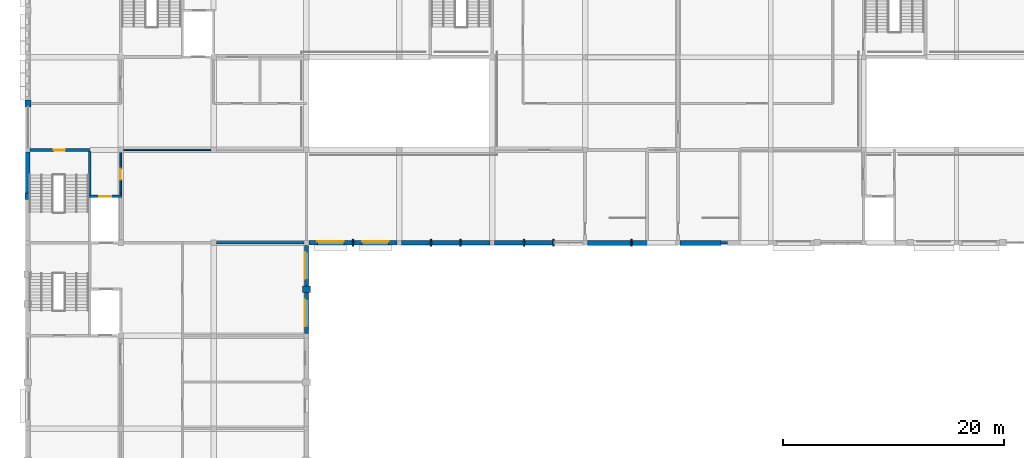
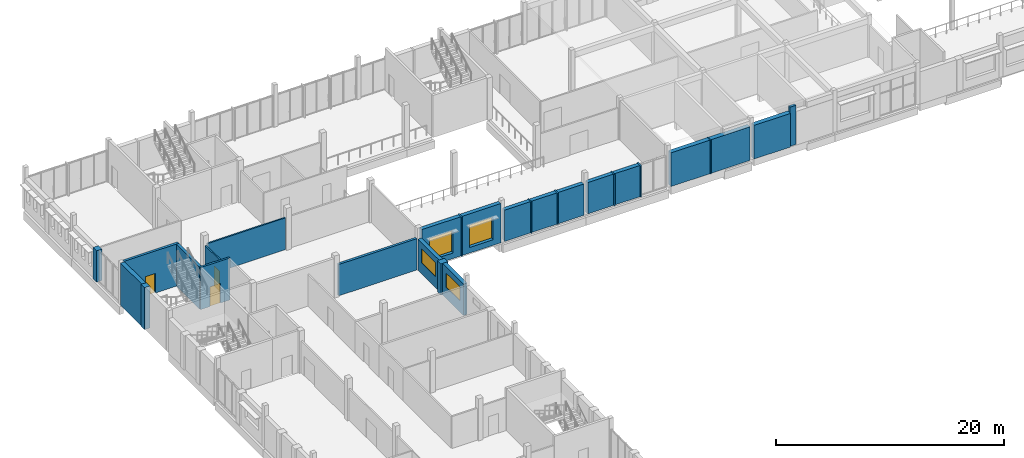
# One storey, part 26 of 38: 29 walls, 4 windows, 3 doors, 7 openings.
"""IFC4 building model written with IfcOpenShell, lengths in metres."""

from ifc_helpers import new_model, si_unit, direction, frame, frame_2d, origin, place, context, subcontext, project, spatial, rectangle, extrude, material, layer, layer_set, type_object, element, fill, save


model = new_model("IFC4")

# Units and contexts
model_context = context("Model", 3, precision=1e-05, world=origin(), true_north=direction((0.0, 1.0)))
body_context = subcontext(model_context, "Body", "Model", "MODEL_VIEW")
ifc_project = project(units=[si_unit("LENGTHUNIT", "METRE"), si_unit("AREAUNIT", "SQUARE_METRE"), si_unit("VOLUMEUNIT", "CUBIC_METRE"), si_unit("PLANEANGLEUNIT", "RADIAN"), si_unit("MASSUNIT", "GRAM", prefix="KILO")], contexts=[model_context])

# Site, building, storey
site_placement = place(None, origin())
site = spatial("IfcSite", under=ifc_project, at=site_placement, CompositionType="ELEMENT")
building_placement = place(site_placement, origin())
building = spatial("IfcBuilding", under=site, at=building_placement, Name="Fescue Hill Polytechnic", CompositionType="ELEMENT")
storey_placement = place(building_placement, frame((0.0, 0.0, 18.0)))
storey = spatial("IfcBuildingStorey", under=building, at=storey_placement, Name="L04", CompositionType="ELEMENT", Elevation=18.0)

# Walls
ifc_material_1 = material(Name="Clay brick masonry", Category="masonry")
ifc_layer_1 = layer(ifc_material_1, 0.550048828125)
ifc_layer_set_1 = layer_set([ifc_layer_1], Name="Clay brick masonry")
wall_type_1 = type_object("IfcWallType", Name="Brick pier 600x550", PredefinedType="SOLIDWALL", material=ifc_layer_set_1)
wall_1_placement = place(storey_placement, frame((0.0, 122.10009765625, 0.0), z_axis=(0.0, 0.0, 1.0), x_axis=(0.0, -1.0, 0.0)))
element("IfcWall", 1, at=wall_1_placement, inside=storey, type_object=wall_type_1, Name="PR-L04-V5-19", PredefinedType="SOLIDWALL", context=body_context, shape_type="SweptSolid", body=[
    extrude(rectangle(XDim=0.60009765625, YDim=0.550048828125, at=frame_2d((0.300048828125, 0.0))), origin(), (0.0, 0.0, 1.0), 3.35009765625),
])
wall_2_placement = place(storey_placement, frame((0.0, 113.699951171875, 0.0), z_axis=(0.0, 0.0, 1.0), x_axis=(0.0, -1.0, 0.0)))
element("IfcWall", 2, at=wall_2_placement, inside=storey, type_object=wall_type_1, Name="PR-L04-V5-20", PredefinedType="SOLIDWALL", context=body_context, shape_type="SweptSolid", body=[
    extrude(rectangle(XDim=0.599853515625, YDim=0.550048828125, at=frame_2d((0.2998046875, 0.0))), origin(), (0.0, 0.0, 1.0), 4.5),
])

# Wall, opening, door
ifc_material_2 = material(Name="Concrete 40 MPa", Category="concrete")
ifc_layer_2 = layer(ifc_material_2, 0.25)
ifc_layer_set_2 = layer_set([ifc_layer_2], Name="Concrete 40 MPa")
wall_type_2 = type_object("IfcWallType", Name="Core wall 250", PredefinedType="SHEAR", material=ifc_layer_set_2)
wall_3_placement = place(storey_placement, frame((0.199951171875, 117.60009765625, 0.0), z_axis=(0.0, 0.0, 1.0), x_axis=(1.0, 0.0, 0.0)))
wall_3 = element("IfcWall", 3, at=wall_3_placement, inside=storey, type_object=wall_type_2, Name="CW-L04-ST-V5-1-21", PredefinedType="SHEAR", context=body_context, shape_type="SweptSolid", body=[
    extrude(rectangle(XDim=5.525146484375, YDim=0.25, at=frame_2d((2.7626953125, 0.0))), origin(), (0.0, 0.0, 1.0), 4.5),
])
opening_1_placement = place(wall_3_placement, frame((2.14990234375, 0.0, 0.0)))
opening_1 = element("IfcOpeningElement", 4, at=opening_1_placement, cuts=wall_3, Name="Opening D4039", PredefinedType="OPENING", context=body_context, shape_type="SweptSolid", body=[
    extrude(rectangle(XDim=1.0, YDim=2.10009765625, at=frame_2d((0.5, 1.050048828125))), frame((0.0, 0.135009765625, 0.0), z_axis=(0.0, -1.0, 0.0), x_axis=(1.0, 0.0, 0.0)), (0.0, 0.0, 1.0), 0.27001953125),
])
ifc_material_3 = material(Name="Steel fire door", Category="steel")
door_type_1 = type_object("IfcDoorType", Name="Door single swing 1000x2100 stair fire rated", OperationType="NOTDEFINED", PredefinedType="DOOR", material=ifc_material_3)
door_1_placement = place(opening_1_placement, origin())
door_1 = element("IfcDoor", 5, at=door_1_placement, inside=storey, type_object=door_type_1, Name="L04 ST-V5-1 stair door", OperationType="SINGLE_SWING_RIGHT", OverallHeight=2.10009765625, OverallWidth=1.0, PredefinedType="DOOR", context=body_context, shape_type="SweptSolid", body=[
    extrude(rectangle(XDim=1.0, YDim=2.10009765625, at=frame_2d((0.5, 1.050048828125))), frame((0.0, 0.02490234375, 0.0), z_axis=(0.0, -1.0, 0.0), x_axis=(1.0, 0.0, 0.0)), (0.0, 0.0, 1.0), 0.050048828125),
])
fill(opening_1, door_1)

# Walls
wall_4_placement = place(storey_placement, frame((5.60009765625, 113.409912109375, 0.0), z_axis=(0.0, 0.0, 1.0), x_axis=(0.0, 1.0, 0.0)))
element("IfcWall", 6, at=wall_4_placement, inside=storey, type_object=wall_type_2, Name="CW-L04-ST-V5-1-41", PredefinedType="SHEAR", context=body_context, shape_type="SweptSolid", body=[
    extrude(rectangle(XDim=4.065185546875, YDim=0.25, at=frame_2d((2.03271484375, 0.0))), origin(), (0.0, 0.0, 1.0), 4.5),
])
wall_5_placement = place(storey_placement, frame((62.699951171875, 109.199951171875, 0.0), z_axis=(0.0, 0.0, 1.0), x_axis=(1.0, 0.0, 0.0)))
element("IfcWall", 7, at=wall_5_placement, inside=storey, type_object=wall_type_2, Name="SCW-L04-ST-V4b-1-s1", PredefinedType="SHEAR", context=body_context, shape_type="SweptSolid", body=[
    extrude(rectangle(XDim=0.60009765625, YDim=0.25, at=frame_2d((0.300048828125, 0.0))), origin(), (0.0, 0.0, 1.0), 4.199951171875),
])
ifc_material_4 = material(Name="Gypsum board partition")
ifc_layer_3 = layer(ifc_material_4, 0.14990234375)
ifc_layer_set_3 = layer_set([ifc_layer_3], Name="Gypsum board partition")
wall_type_3 = type_object("IfcWallType", Name="Corridor wall 150 EI 45", PredefinedType="PARTITIONING", material=ifc_layer_set_3)
wall_6_placement = place(storey_placement, frame((8.64990234375, 117.60009765625, 0.0), z_axis=(0.0, 0.0, 1.0), x_axis=(1.0, 0.0, 0.0)))
element("IfcWall", 8, at=wall_6_placement, inside=storey, type_object=wall_type_3, Name="IW-L04-022", PredefinedType="PARTITIONING", context=body_context, shape_type="SweptSolid", body=[
    extrude(rectangle(XDim=7.900146484375, YDim=0.14990234375, at=frame_2d((3.9501953125, 0.0))), origin(), (0.0, 0.0, 1.0), 3.39990234375),
])
ifc_layer_4 = layer(ifc_material_2, 0.449951171875)
ifc_layer_set_4 = layer_set([ifc_layer_4], Name="Concrete 40 MPa")
wall_type_4 = type_object("IfcWallType", Name="Exterior wall board-marked concrete 450 load-bearing", PredefinedType="SOLIDWALL", material=ifc_layer_set_4)
wall_7_placement = place(storey_placement, frame((50.60009765625, 109.199951171875, 0.0), z_axis=(0.0, 0.0, 1.0), x_axis=(1.0, 0.0, 0.0)))
element("IfcWall", 9, at=wall_7_placement, inside=storey, type_object=wall_type_4, Name="EW-L04-V5-9", PredefinedType="SOLIDWALL", context=body_context, shape_type="SweptSolid", body=[
    extrude(rectangle(XDim=3.93994140625, YDim=0.449951171875, at=frame_2d((1.969970703125, 0.0))), origin(), (0.0, 0.0, 1.0), 3.60009765625),
])
wall_8_placement = place(storey_placement, frame((54.659912109375, 109.199951171875, 0.0), z_axis=(0.0, 0.0, 1.0), x_axis=(1.0, 0.0, 0.0)))
element("IfcWall", 10, at=wall_8_placement, inside=storey, type_object=wall_type_4, Name="EW-L04-V5-10", PredefinedType="SOLIDWALL", context=body_context, shape_type="SweptSolid", body=[
    extrude(rectangle(XDim=3.940185546875, YDim=0.449951171875, at=frame_2d((1.97021484375, 0.0))), origin(), (0.0, 0.0, 1.0), 3.60009765625),
])
wall_9_placement = place(storey_placement, frame((59.0, 109.199951171875, 0.0), z_axis=(0.0, 0.0, 1.0), x_axis=(1.0, 0.0, 0.0)))
element("IfcWall", 11, at=wall_9_placement, inside=storey, type_object=wall_type_4, Name="EW-L04-V4b-1", PredefinedType="SOLIDWALL", context=body_context, shape_type="SweptSolid", body=[
    extrude(rectangle(XDim=3.699951171875, YDim=0.449951171875, at=frame_2d((1.85009765625, 0.0))), origin(), (0.0, 0.0, 1.0), 3.60009765625),
])
ifc_layer_5 = layer(ifc_material_1, 0.419921875)
ifc_layer_set_5 = layer_set([ifc_layer_5], Name="Clay brick masonry")
wall_type_5 = type_object("IfcWallType", Name="Exterior wall buff-red brick cavity 420 load-bearing", PredefinedType="SOLIDWALL", material=ifc_layer_set_5)
wall_10_placement = place(storey_placement, frame((0.0, 117.39990234375, 0.0), z_axis=(0.0, 0.0, 1.0), x_axis=(0.0, -1.0, 0.0)))
element("IfcWall", 12, at=wall_10_placement, inside=storey, type_object=wall_type_5, Name="EW-L04-V5-23", PredefinedType="SOLIDWALL", context=body_context, shape_type="SweptSolid", body=[
    extrude(rectangle(XDim=3.699951171875, YDim=0.419921875, at=frame_2d((1.85009765625, 0.0))), origin(), (0.0, 0.0, 1.0), 4.5),
])

# Wall, opening, window
ifc_layer_6 = layer(ifc_material_1, 0.39990234375)
ifc_layer_set_6 = layer_set([ifc_layer_6], Name="Clay brick masonry")
wall_type_6 = type_object("IfcWallType", Name="Exterior wall clinker brick cavity 400", PredefinedType="SOLIDWALL", material=ifc_layer_set_6)
wall_11_placement = place(storey_placement, frame((25.425048828125, 109.199951171875, 0.0), z_axis=(0.0, 0.0, 1.0), x_axis=(1.0, 0.0, 0.0)))
wall_11 = element("IfcWall", 13, at=wall_11_placement, inside=storey, type_object=wall_type_6, Name="EW-L04-V5-1", PredefinedType="SOLIDWALL", context=body_context, shape_type="SweptSolid", body=[
    extrude(rectangle(XDim=3.927490234375, YDim=0.39990234375, at=frame_2d((1.9638671875, 0.0))), origin(), (0.0, 0.0, 1.0), 4.199951171875),
])
opening_2_placement = place(wall_11_placement, frame((0.763916015625, 0.0, 0.60009765625)))
opening_2 = element("IfcOpeningElement", 14, at=opening_2_placement, cuts=wall_11, Name="Opening W4", PredefinedType="OPENING", context=body_context, shape_type="SweptSolid", body=[
    extrude(rectangle(XDim=2.39990234375, YDim=2.39990234375, at=frame_2d((1.199951171875, 1.199951171875))), frame((0.0, 0.2099609375, 0.0), z_axis=(0.0, -1.0, 0.0), x_axis=(1.0, 0.0, 0.0)), (0.0, 0.0, 1.0), 0.419921875),
])
ifc_material_5 = material(Name="Powder-coated aluminium and glass", Category="aluminium")
window_type_1 = type_object("IfcWindowType", Name="Window library tall 2400x2400", PartitioningType="DOUBLE_PANEL_VERTICAL", PredefinedType="WINDOW", material=ifc_material_5)
window_1_placement = place(opening_2_placement, origin())
window_1 = element("IfcWindow", 15, at=window_1_placement, inside=storey, type_object=window_type_1, Name="WN-L04-V5-1", OverallHeight=2.39990234375, OverallWidth=2.39990234375, PartitioningType="SINGLE_PANEL", PredefinedType="WINDOW", context=body_context, shape_type="SweptSolid", body=[
    extrude(rectangle(XDim=2.39990234375, YDim=2.39990234375, at=frame_2d((1.199951171875, 1.199951171875))), frame((0.0, 0.159912109375, 0.0), z_axis=(0.0, -1.0, 0.0), x_axis=(1.0, 0.0, 0.0)), (0.0, 0.0, 1.0), 0.06005859375),
])
fill(opening_2, window_1)

wall_12_placement = place(storey_placement, frame((29.472412109375, 109.199951171875, 0.0), z_axis=(0.0, 0.0, 1.0), x_axis=(1.0, 0.0, 0.0)))
wall_12 = element("IfcWall", 16, at=wall_12_placement, inside=storey, type_object=wall_type_6, Name="EW-L04-V5-2", PredefinedType="SOLIDWALL", context=body_context, shape_type="SweptSolid", body=[
    extrude(rectangle(XDim=3.927490234375, YDim=0.39990234375, at=frame_2d((1.9638671875, 0.0))), origin(), (0.0, 0.0, 1.0), 4.199951171875),
])
opening_3_placement = place(wall_12_placement, frame((0.763916015625, 0.0, 0.60009765625)))
opening_3 = element("IfcOpeningElement", 17, at=opening_3_placement, cuts=wall_12, Name="Opening W4", PredefinedType="OPENING", context=body_context, shape_type="SweptSolid", body=[
    extrude(rectangle(XDim=2.39990234375, YDim=2.39990234375, at=frame_2d((1.199951171875, 1.199951171875))), frame((0.0, 0.2099609375, 0.0), z_axis=(0.0, -1.0, 0.0), x_axis=(1.0, 0.0, 0.0)), (0.0, 0.0, 1.0), 0.419921875),
])
window_2_placement = place(opening_3_placement, origin())
window_2 = element("IfcWindow", 18, at=window_2_placement, inside=storey, type_object=window_type_1, Name="WN-L04-V5-2", OverallHeight=2.39990234375, OverallWidth=2.39990234375, PartitioningType="SINGLE_PANEL", PredefinedType="WINDOW", context=body_context, shape_type="SweptSolid", body=[
    extrude(rectangle(XDim=2.39990234375, YDim=2.39990234375, at=frame_2d((1.199951171875, 1.199951171875))), frame((0.0, 0.159912109375, 0.0), z_axis=(0.0, -1.0, 0.0), x_axis=(1.0, 0.0, 0.0)), (0.0, 0.0, 1.0), 0.06005859375),
])
fill(opening_3, window_2)

# Walls
wall_13_placement = place(storey_placement, frame((33.800048828125, 109.199951171875, 0.0), z_axis=(0.0, 0.0, 1.0), x_axis=(1.0, 0.0, 0.0)))
element("IfcWall", 19, at=wall_13_placement, inside=storey, type_object=wall_type_6, Name="EW-L04-V5-3", PredefinedType="SOLIDWALL", context=body_context, shape_type="SweptSolid", body=[
    extrude(rectangle(XDim=2.606689453125, YDim=0.39990234375, at=frame_2d((1.30322265625, 0.0))), origin(), (0.0, 0.0, 1.0), 3.35009765625),
])
wall_14_placement = place(storey_placement, frame((36.526611328125, 109.199951171875, 0.0), z_axis=(0.0, 0.0, 1.0), x_axis=(1.0, 0.0, 0.0)))
element("IfcWall", 20, at=wall_14_placement, inside=storey, type_object=wall_type_6, Name="EW-L04-V5-4", PredefinedType="SOLIDWALL", context=body_context, shape_type="SweptSolid", body=[
    extrude(rectangle(XDim=2.546630859375, YDim=0.39990234375, at=frame_2d((1.2734375, 0.0))), origin(), (0.0, 0.0, 1.0), 3.35009765625),
])
for number, where, z_axis, x_axis, name in (
    (21, (39.193359375, 109.199951171875, 0.0), (0.0, 0.0, 1.0), (1.0, 0.0, 0.0), "EW-L04-V5-5"),
    (22, (42.199951171875, 109.199951171875, 0.0), (0.0, 0.0, 1.0), (1.0, 0.0, 0.0), "EW-L04-V5-6"),
):
    element("IfcWall", number, at=place(storey_placement, frame(where, z_axis=z_axis, x_axis=x_axis)), inside=storey, type_object=wall_type_6, Name=name, PredefinedType="SOLIDWALL", context=body_context, shape_type="SweptSolid", body=[
        extrude(rectangle(XDim=2.606689453125, YDim=0.39990234375, at=frame_2d((1.30322265625, 0.0))), origin(), (0.0, 0.0, 1.0), 3.35009765625),
    ])
wall_15_placement = place(storey_placement, frame((44.9267578125, 109.199951171875, 0.0), z_axis=(0.0, 0.0, 1.0), x_axis=(1.0, 0.0, 0.0)))
element("IfcWall", 23, at=wall_15_placement, inside=storey, type_object=wall_type_6, Name="EW-L04-V5-7", PredefinedType="SOLIDWALL", context=body_context, shape_type="SweptSolid", body=[
    extrude(rectangle(XDim=2.546630859375, YDim=0.39990234375, at=frame_2d((1.2734375, 0.0))), origin(), (0.0, 0.0, 1.0), 3.35009765625),
])

# Wall, opening, window
ifc_material_6 = material(Name="Terracotta rainscreen on concrete block", Category="masonry")
ifc_layer_7 = layer(ifc_material_6, 0.3798828125)
ifc_layer_set_7 = layer_set([ifc_layer_7], Name="Terracotta rainscreen on concrete block")
wall_type_7 = type_object("IfcWallType", Name="Exterior wall rainscreen terracotta on blockwork 380", PredefinedType="SOLIDWALL", material=ifc_layer_set_7)
wall_16_placement = place(storey_placement, frame((25.199951171875, 101.0, 0.0), z_axis=(0.0, 0.0, 1.0), x_axis=(0.0, 1.0, 0.0)))
wall_16 = element("IfcWall", 24, at=wall_16_placement, inside=storey, type_object=wall_type_7, Name="EW-L04-V4-16", PredefinedType="SOLIDWALL", context=body_context, shape_type="SweptSolid", body=[
    extrude(rectangle(XDim=3.6875, YDim=0.3798828125, at=frame_2d((1.84375, 0.0))), origin(), (0.0, 0.0, 1.0), 3.35009765625),
])
opening_4_placement = place(wall_16_placement, frame((0.643798828125, 0.0, 1.199951171875)))
opening_4 = element("IfcOpeningElement", 25, at=opening_4_placement, cuts=wall_16, Name="Opening W3", PredefinedType="OPENING", context=body_context, shape_type="SweptSolid", body=[
    extrude(rectangle(XDim=2.39990234375, YDim=1.5, at=frame_2d((1.199951171875, 0.75))), frame((0.0, 0.199951171875, 0.0), z_axis=(0.0, -1.0, 0.0), x_axis=(1.0, 0.0, 0.0)), (0.0, 0.0, 1.0), 0.39990234375),
])
window_type_2 = type_object("IfcWindowType", Name="Window laboratory strip 2400x1500", PartitioningType="TRIPLE_PANEL_VERTICAL", PredefinedType="WINDOW", material=ifc_material_5)
window_3_placement = place(opening_4_placement, origin())
window_3 = element("IfcWindow", 26, at=window_3_placement, inside=storey, type_object=window_type_2, Name="WN-L04-V4-6", OverallHeight=1.5, OverallWidth=2.39990234375, PartitioningType="SINGLE_PANEL", PredefinedType="WINDOW", context=body_context, shape_type="SweptSolid", body=[
    extrude(rectangle(XDim=2.39990234375, YDim=1.5, at=frame_2d((1.199951171875, 0.75))), frame((0.0, 0.150146484375, 0.0), z_axis=(0.0, -1.0, 0.0), x_axis=(1.0, 0.0, 0.0)), (0.0, 0.0, 1.0), 0.06005859375),
])
fill(opening_4, window_3)

wall_17_placement = place(storey_placement, frame((25.199951171875, 105.28759765625, 0.0), z_axis=(0.0, 0.0, 1.0), x_axis=(0.0, 1.0, 0.0)))
wall_17 = element("IfcWall", 27, at=wall_17_placement, inside=storey, type_object=wall_type_7, Name="EW-L04-V4-17", PredefinedType="SOLIDWALL", context=body_context, shape_type="SweptSolid", body=[
    extrude(rectangle(XDim=3.6875, YDim=0.3798828125, at=frame_2d((1.84375, 0.0))), origin(), (0.0, 0.0, 1.0), 3.35009765625),
])
opening_5_placement = place(wall_17_placement, frame((0.643798828125, 0.0, 1.199951171875)))
opening_5 = element("IfcOpeningElement", 28, at=opening_5_placement, cuts=wall_17, Name="Opening W3", PredefinedType="OPENING", context=body_context, shape_type="SweptSolid", body=[
    extrude(rectangle(XDim=2.39990234375, YDim=1.5, at=frame_2d((1.199951171875, 0.75))), frame((0.0, 0.199951171875, 0.0), z_axis=(0.0, -1.0, 0.0), x_axis=(1.0, 0.0, 0.0)), (0.0, 0.0, 1.0), 0.39990234375),
])
window_4_placement = place(opening_5_placement, origin())
window_4 = element("IfcWindow", 29, at=window_4_placement, inside=storey, type_object=window_type_2, Name="WN-L04-V4-7", OverallHeight=1.5, OverallWidth=2.39990234375, PartitioningType="SINGLE_PANEL", PredefinedType="WINDOW", context=body_context, shape_type="SweptSolid", body=[
    extrude(rectangle(XDim=2.39990234375, YDim=1.5, at=frame_2d((1.199951171875, 0.75))), frame((0.0, 0.150146484375, 0.0), z_axis=(0.0, -1.0, 0.0), x_axis=(1.0, 0.0, 0.0)), (0.0, 0.0, 1.0), 0.06005859375),
])
fill(opening_5, window_4)

# Wall
ifc_layer_8 = layer(ifc_material_2, 0.699951171875)
ifc_layer_set_8 = layer_set([ifc_layer_8], Name="Concrete 40 MPa")
wall_type_8 = type_object("IfcWallType", Name="Fin wall board-marked 600x700", PredefinedType="SOLIDWALL", material=ifc_layer_set_8)
wall_18_placement = place(storey_placement, frame((25.199951171875, 104.6875, 0.0), z_axis=(0.0, 0.0, 1.0), x_axis=(0.0, 1.0, 0.0)))
element("IfcWall", 30, at=wall_18_placement, inside=storey, type_object=wall_type_8, Name="PR-L04-V4-10", PredefinedType="SOLIDWALL", context=body_context, shape_type="SweptSolid", body=[
    extrude(rectangle(XDim=0.60009765625, YDim=0.699951171875, at=frame_2d((0.300048828125, 0.0))), origin(), (0.0, 0.0, 1.0), 3.35009765625),
])

# Wall, opening, door
ifc_layer_9 = layer(ifc_material_2, 0.199951171875)
ifc_layer_set_9 = layer_set([ifc_layer_9], Name="Concrete 40 MPa")
wall_type_9 = type_object("IfcWallType", Name="Lift shaft wall 200", PredefinedType="SHEAR", material=ifc_layer_set_9)
wall_19_placement = place(storey_placement, frame((5.5, 113.39990234375, 0.0), z_axis=(0.0, 0.0, 1.0), x_axis=(1.0, 0.0, 0.0)))
wall_19 = element("IfcWall", 31, at=wall_19_placement, inside=storey, type_object=wall_type_9, Name="CW-L04-LF-V5-1-21", PredefinedType="SHEAR", context=body_context, shape_type="SweptSolid", body=[
    extrude(rectangle(XDim=3.0, YDim=0.199951171875, at=frame_2d((1.5, 0.0))), origin(), (0.0, 0.0, 1.0), 4.5),
])
opening_6_placement = place(wall_19_placement, frame((0.949951171875, 0.0, 0.0)))
opening_6 = element("IfcOpeningElement", 32, at=opening_6_placement, cuts=wall_19, Name="Opening LD6-L04N", PredefinedType="OPENING", context=body_context, shape_type="SweptSolid", body=[
    extrude(rectangle(XDim=1.10009765625, YDim=2.10009765625, at=frame_2d((0.550048828125, 1.050048828125))), frame((0.0, 0.10986328125, 0.0), z_axis=(0.0, -1.0, 0.0), x_axis=(1.0, 0.0, 0.0)), (0.0, 0.0, 1.0), 0.219970703125),
])
ifc_material_7 = material(Name="Stainless steel", Category="steel")
door_type_2 = type_object("IfcDoorType", Name="Lift landing door sliding 1100x2100", OperationType="SLIDING_TO_LEFT", PredefinedType="DOOR", material=ifc_material_7)
door_2_placement = place(opening_6_placement, origin())
door_2 = element("IfcDoor", 33, at=door_2_placement, inside=storey, type_object=door_type_2, Name="L04 LF-V5-1 lift landing door", OperationType="SLIDING_TO_LEFT", OverallHeight=2.10009765625, OverallWidth=1.10009765625, PredefinedType="DOOR", context=body_context, shape_type="SweptSolid", body=[
    extrude(rectangle(XDim=1.10009765625, YDim=2.10009765625, at=frame_2d((0.550048828125, 1.050048828125))), frame((0.0, 0.02490234375, 0.0), z_axis=(0.0, -1.0, 0.0), x_axis=(1.0, 0.0, 0.0)), (0.0, 0.0, 1.0), 0.050048828125),
])
fill(opening_6, door_2)

ifc_layer_10 = layer(ifc_material_4, 0.14990234375)
ifc_layer_set_10 = layer_set([ifc_layer_10], Name="Gypsum board partition")
wall_type_10 = type_object("IfcWallType", Name="Lobby wall 150 EI 60", PredefinedType="PARTITIONING", material=ifc_layer_set_10)
wall_20_placement = place(storey_placement, frame((8.39990234375, 113.550048828125, 0.0), z_axis=(0.0, 0.0, 1.0), x_axis=(0.0, 1.0, 0.0)))
wall_20 = element("IfcWall", 34, at=wall_20_placement, inside=storey, type_object=wall_type_10, Name="IW-L04-041", PredefinedType="PARTITIONING", context=body_context, shape_type="SweptSolid", body=[
    extrude(rectangle(XDim=3.800048828125, YDim=0.14990234375, at=frame_2d((1.89990234375, 0.0))), origin(), (0.0, 0.0, 1.0), 3.39990234375),
])
opening_7_placement = place(wall_20_placement, frame((1.35009765625, 0.0, 0.0)))
opening_7 = element("IfcOpeningElement", 35, at=opening_7_placement, cuts=wall_20, Name="Opening D4017", PredefinedType="OPENING", context=body_context, shape_type="SweptSolid", body=[
    extrude(rectangle(XDim=1.0, YDim=2.10009765625, at=frame_2d((0.5, 1.050048828125))), frame((0.0, 0.0849609375, 0.0), z_axis=(0.0, -1.0, 0.0), x_axis=(1.0, 0.0, 0.0)), (0.0, 0.0, 1.0), 0.169921875),
])
ifc_material_8 = material(Name="Steel", Category="steel")
door_type_3 = type_object("IfcDoorType", Name="Door single swing 1000x2100 FD60", OperationType="SINGLE_SWING_LEFT", PredefinedType="DOOR", material=ifc_material_8)
door_3_placement = place(opening_7_placement, origin())
door_3 = element("IfcDoor", 36, at=door_3_placement, inside=storey, type_object=door_type_3, Name="Door D4017", OperationType="SINGLE_SWING_LEFT", OverallHeight=2.10009765625, OverallWidth=1.0, PredefinedType="DOOR", context=body_context, shape_type="SweptSolid", body=[
    extrude(rectangle(XDim=1.0, YDim=2.10009765625, at=frame_2d((0.5, 1.050048828125))), frame((0.0, 0.02490234375, 0.0), z_axis=(0.0, -1.0, 0.0), x_axis=(1.0, 0.0, 0.0)), (0.0, 0.0, 1.0), 0.050048828125),
])
fill(opening_7, door_3)

# Walls
ifc_material_9 = material(Name="Concrete 35 MPa", Category="concrete")
ifc_layer_11 = layer(ifc_material_9, 0.25)
ifc_layer_set_11 = layer_set([ifc_layer_11], Name="Concrete 35 MPa")
wall_type_11 = type_object("IfcWallType", Name="Party wall 250 concrete EI 120", PredefinedType="SOLIDWALL", material=ifc_layer_set_11)
wall_21_placement = place(storey_placement, frame((17.050048828125, 109.199951171875, 0.0), z_axis=(0.0, 0.0, 1.0), x_axis=(1.0, 0.0, 0.0)))
element("IfcWall", 37, at=wall_21_placement, inside=storey, type_object=wall_type_11, Name="IW-L04-021", PredefinedType="SOLIDWALL", context=body_context, shape_type="SweptSolid", body=[
    extrude(rectangle(XDim=7.925048828125, YDim=0.25, at=frame_2d((3.96240234375, 0.0))), origin(), (0.0, 0.0, 1.0), 3.35009765625),
])
ifc_material_10 = material(Name="Glulam 24f-EX", Category="wood")
ifc_layer_12 = layer(ifc_material_10, 0.60009765625)
ifc_layer_set_12 = layer_set([ifc_layer_12], Name="Glulam 24f-EX")
wall_type_12 = type_object("IfcWallType", Name="Timber fin 120x600", PredefinedType="SOLIDWALL", material=ifc_layer_set_12)
wall_22_placement = place(storey_placement, frame((29.3525390625, 109.199951171875, 0.0), z_axis=(0.0, 0.0, 1.0), x_axis=(1.0, 0.0, 0.0)))
element("IfcWall", 38, at=wall_22_placement, inside=storey, type_object=wall_type_12, Name="PR-L04-V5-1", PredefinedType="SOLIDWALL", context=body_context, shape_type="SweptSolid", body=[
    extrude(rectangle(XDim=0.119873046875, YDim=0.60009765625, at=frame_2d((0.06005859375, 0.0))), origin(), (0.0, 0.0, 1.0), 4.199951171875),
])
wall_23_placement = place(storey_placement, frame((36.40673828125, 109.199951171875, 0.0), z_axis=(0.0, 0.0, 1.0), x_axis=(1.0, 0.0, 0.0)))
element("IfcWall", 39, at=wall_23_placement, inside=storey, type_object=wall_type_12, Name="PR-L04-V5-2", PredefinedType="SOLIDWALL", context=body_context, shape_type="SweptSolid", body=[
    extrude(rectangle(XDim=0.119873046875, YDim=0.60009765625, at=frame_2d((0.06005859375, 0.0))), origin(), (0.0, 0.0, 1.0), 3.35009765625),
])
for number, where, z_axis, x_axis, name in (
    (40, (39.0732421875, 109.199951171875, 0.0), (0.0, 0.0, 1.0), (1.0, 0.0, 0.0), "PR-L04-V5-3"),
    (41, (44.806640625, 109.199951171875, 0.0), (0.0, 0.0, 1.0), (1.0, 0.0, 0.0), "PR-L04-V5-4"),
):
    element("IfcWall", number, at=place(storey_placement, frame(where, z_axis=z_axis, x_axis=x_axis)), inside=storey, type_object=wall_type_12, Name=name, PredefinedType="SOLIDWALL", context=body_context, shape_type="SweptSolid", body=[
        extrude(rectangle(XDim=0.1201171875, YDim=0.60009765625, at=frame_2d((0.06005859375, 0.0))), origin(), (0.0, 0.0, 1.0), 3.35009765625),
    ])
wall_24_placement = place(storey_placement, frame((47.473388671875, 109.199951171875, 0.0), z_axis=(0.0, 0.0, 1.0), x_axis=(1.0, 0.0, 0.0)))
element("IfcWall", 42, at=wall_24_placement, inside=storey, type_object=wall_type_12, Name="PR-L04-V5-5", PredefinedType="SOLIDWALL", context=body_context, shape_type="SweptSolid", body=[
    extrude(rectangle(XDim=0.119873046875, YDim=0.60009765625, at=frame_2d((0.06005859375, 0.0))), origin(), (0.0, 0.0, 1.0), 3.35009765625),
])
wall_25_placement = place(storey_placement, frame((54.5400390625, 109.199951171875, 0.0), z_axis=(0.0, 0.0, 1.0), x_axis=(1.0, 0.0, 0.0)))
element("IfcWall", 43, at=wall_25_placement, inside=storey, type_object=wall_type_12, Name="PR-L04-V5-6", PredefinedType="SOLIDWALL", context=body_context, shape_type="SweptSolid", body=[
    extrude(rectangle(XDim=0.119873046875, YDim=0.60009765625, at=frame_2d((0.06005859375, 0.0))), origin(), (0.0, 0.0, 1.0), 3.60009765625),
])

save(model, "model.ifc")
